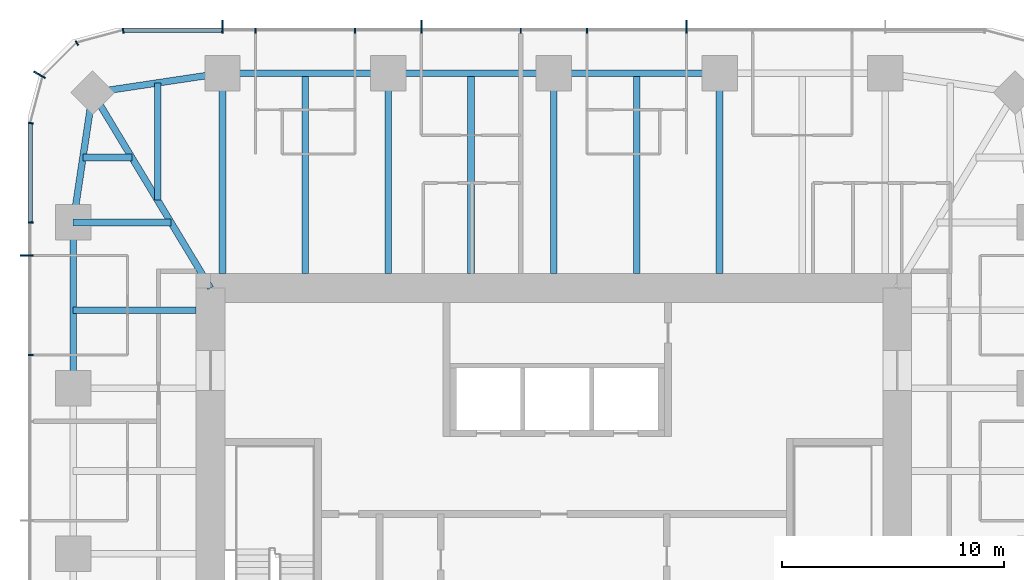
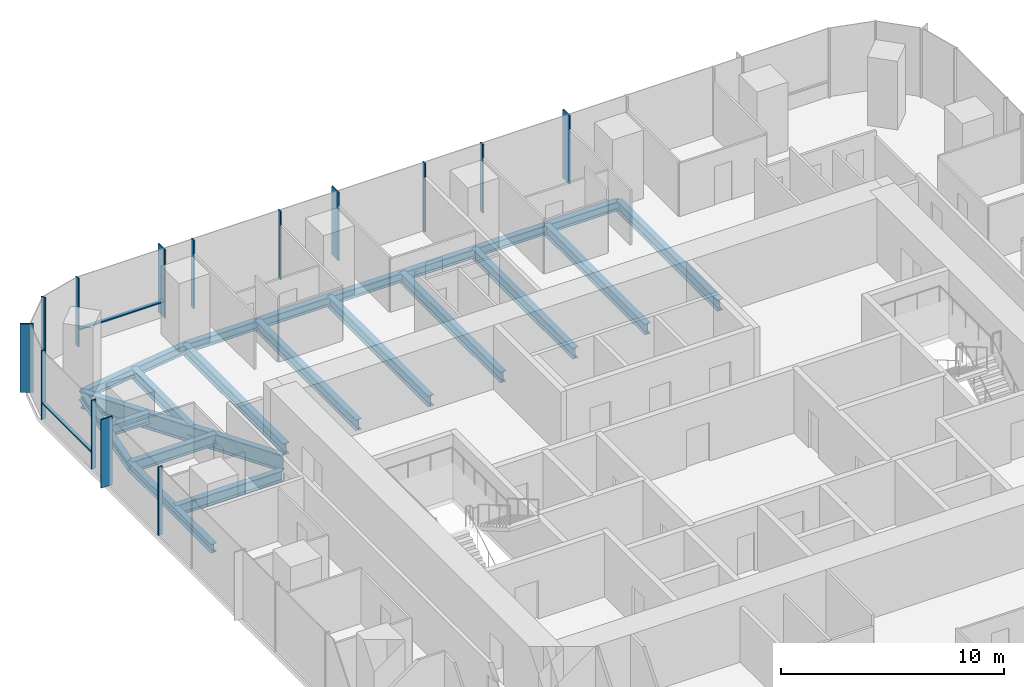
# One storey, part 5 of 12: 18 beams, 16 members, 3 elements without a shape of their own.
"""IFC4 building model written with IfcOpenShell, lengths in metres."""

from ifc_helpers import new_model, si_unit, direction, frame, origin, origin_2d, place, context, subcontext, project, spatial, rectangle, i_section, extrude, material, material_profile, profile_set, type_object, element, aggregate, save


model = new_model("IFC4")

# Units and contexts
model_context = context("Model", 3, precision=1e-05, world=origin(), true_north=direction((0.0, 1.0)))
body_context = subcontext(model_context, "Body", "Model", "MODEL_VIEW")
ifc_project = project(units=[si_unit("LENGTHUNIT", "METRE"), si_unit("AREAUNIT", "SQUARE_METRE"), si_unit("VOLUMEUNIT", "CUBIC_METRE"), si_unit("PLANEANGLEUNIT", "RADIAN"), si_unit("MASSUNIT", "GRAM", prefix="KILO")], contexts=[model_context])

# Site, building, storey
site_placement = place(None, origin())
site = spatial("IfcSite", under=ifc_project, at=site_placement, CompositionType="ELEMENT")
building_placement = place(site_placement, origin())
building = spatial("IfcBuilding", under=site, at=building_placement, Name="Khuree Lantern Residences", CompositionType="ELEMENT")
storey_placement = place(building_placement, frame((0.0, 0.0, 300.75)))
storey = spatial("IfcBuildingStorey", under=building, at=storey_placement, Name="L75", CompositionType="ELEMENT", Elevation=300.75)

# Beams
ifc_material_1 = material(Name="Steel S355", Category="steel")
ifc_material_profile_1 = material_profile(ifc_material_1, i_section(OverallWidth=0.300048828125, OverallDepth=0.590087890625, WebThickness=0.012939453125, FlangeThickness=0.02490234375, FilletRadius=0.027099609375, at=origin_2d()), Name="HE 600 A")
ifc_profile_set_1 = profile_set([ifc_material_profile_1], Name="Steel S355")
beam_type_1 = type_object("IfcBeamType", Name="B-42 SECONDARY BEAM HE 600 A", PredefinedType="BEAM", material=ifc_profile_set_1)
for number, where, z_axis, x_axis, name in (
    (1, (-11.219970703125, 21.699951171875, -0.544921875), (0.0, -1.0, 0.0), (1.0, 0.0, 0.0), "Secondary beam N1"),
    (2, (-3.739990234375, 21.699951171875, -0.544921875), (0.0, -1.0, 0.0), (1.0, 0.0, 0.0), "Secondary beam N2"),
    (3, (3.739990234375, 21.699951171875, -0.544921875), (0.0, -1.0, 0.0), (1.0, 0.0, 0.0), "Secondary beam N3"),
):
    element("IfcBeam", number, at=place(storey_placement, frame(where, z_axis=z_axis, x_axis=x_axis)), inside=storey, type_object=beam_type_1, Name=name, PredefinedType="BEAM", context=body_context, shape_type="SweptSolid", body=[
        extrude(i_section(OverallWidth=0.300048828125, OverallDepth=0.590087890625, WebThickness=0.012939453125, FlangeThickness=0.02490234375, FilletRadius=0.027099609375, at=origin_2d()), origin(), (0.0, 0.0, 1.0), 9.050048828125),
    ])
beam_1_placement = place(storey_placement, frame((-21.699951171875, 11.0, -0.544921875), z_axis=(1.0, 0.0, 0.0), x_axis=(0.0, 1.0, 0.0)))
element("IfcBeam", 4, at=beam_1_placement, inside=storey, type_object=beam_type_1, Name="Secondary beam W5", PredefinedType="BEAM", context=body_context, shape_type="SweptSolid", body=[
    extrude(i_section(OverallWidth=0.300048828125, OverallDepth=0.590087890625, WebThickness=0.012939453125, FlangeThickness=0.02490234375, FilletRadius=0.027099609375, at=origin_2d()), origin(), (0.0, 0.0, 1.0), 5.550048828125),
])
beam_2_placement = place(storey_placement, frame((-21.2607421875, 17.890625, -0.544921875), z_axis=(1.0, 0.0, 0.0), x_axis=(0.0, 1.0, 0.0)))
element("IfcBeam", 5, at=beam_2_placement, inside=storey, type_object=beam_type_1, Name="Secondary beam W6", PredefinedType="BEAM", context=body_context, shape_type="SweptSolid", body=[
    extrude(i_section(OverallWidth=0.300048828125, OverallDepth=0.590087890625, WebThickness=0.012939453125, FlangeThickness=0.02490234375, FilletRadius=0.027099609375, at=origin_2d()), origin(), (0.0, 0.0, 1.0), 2.207275390625),
])
beam_3_placement = place(storey_placement, frame((-17.890625, 21.2607421875, -0.544921875), z_axis=(0.0, -1.0, 0.0), x_axis=(1.0, 0.0, 0.0)))
element("IfcBeam", 6, at=beam_3_placement, inside=storey, type_object=beam_type_1, Name="Secondary beam N6", PredefinedType="BEAM", context=body_context, shape_type="SweptSolid", body=[
    extrude(i_section(OverallWidth=0.300048828125, OverallDepth=0.590087890625, WebThickness=0.012939453125, FlangeThickness=0.02490234375, FilletRadius=0.027099609375, at=origin_2d()), origin(), (0.0, 0.0, 1.0), 5.297607421875),
])
ifc_material_profile_2 = material_profile(ifc_material_1, i_section(OverallWidth=0.300048828125, OverallDepth=0.489990234375, WebThickness=0.011962890625, FlangeThickness=0.02294921875, FilletRadius=0.027099609375, at=origin_2d()), Name="HE 500 A")
ifc_profile_set_2 = profile_set([ifc_material_profile_2], Name="Steel S355")
beam_type_2 = type_object("IfcBeamType", Name="E-42 SPANDREL BEAM HE 500 A", PredefinedType="SPANDREL", material=ifc_profile_set_2)
for number, where, z_axis, x_axis, name in (
    (7, (-14.9599609375, 21.699951171875, -0.4951171875), (1.0, 0.0, 0.0), (0.0, 1.0, 0.0), "Spandrel beam N1"),
    (8, (-7.47998046875, 21.699951171875, -0.4951171875), (1.0, 0.0, 0.0), (0.0, 1.0, 0.0), "Spandrel beam N2"),
    (9, (0.0, 21.699951171875, -0.4951171875), (1.0, 0.0, 0.0), (0.0, 1.0, 0.0), "Spandrel beam N3"),
    (10, (-21.699951171875, 7.47998046875, -0.4951171875), (0.0, 1.0, 0.0), (-1.0, 0.0, 0.0), "Spandrel beam W5"),
):
    element("IfcBeam", number, at=place(storey_placement, frame(where, z_axis=z_axis, x_axis=x_axis)), inside=storey, type_object=beam_type_2, Name=name, PredefinedType="SPANDREL", context=body_context, shape_type="SweptSolid", body=[
        extrude(i_section(OverallWidth=0.300048828125, OverallDepth=0.489990234375, WebThickness=0.011962890625, FlangeThickness=0.02294921875, FilletRadius=0.027099609375, at=origin_2d()), origin(), (0.0, 0.0, 1.0), 7.47998046875),
    ])
for number, where, z_axis, x_axis, name in (
    (11, (-21.699951171875, 14.9599609375, -0.4951171875), (0.148251822985, 0.988949643299, 0.0), (-0.988949643299, 0.148251822985, 0.0), "Spandrel beam W6"),
    (12, (-20.8212890625, 20.8212890625, -0.4951171875), (0.988949643299, 0.148251822985, 0.0), (-0.148251822985, 0.988949643299, 0.0), "Spandrel beam N6"),
):
    element("IfcBeam", number, at=place(storey_placement, frame(where, z_axis=z_axis, x_axis=x_axis)), inside=storey, type_object=beam_type_2, Name=name, PredefinedType="SPANDREL", context=body_context, shape_type="SweptSolid", body=[
        extrude(i_section(OverallWidth=0.300048828125, OverallDepth=0.489990234375, WebThickness=0.011962890625, FlangeThickness=0.02294921875, FilletRadius=0.027099609375, at=origin_2d()), origin(), (0.0, 0.0, 1.0), 5.9267578125),
    ])

# Curtain wall, members
ifc_material_2 = material(Name="Bronze anodised aluminium", Category="aluminium")
curtain_wall_type_1 = type_object("IfcCurtainWallType", Name="CW-T1 TOWER FACE CURTAIN WALL", PredefinedType="USERDEFINED", material=ifc_material_2)
curtain_wall_1_placement = place(storey_placement, origin())
curtain_wall_1 = element("IfcCurtainWall", 13, at=curtain_wall_1_placement, inside=storey, type_object=curtain_wall_type_1, Name="L75 NORTH FACE CURTAIN WALL", ObjectType="Stick-built curtain wall", PredefinedType="USERDEFINED")
ifc_material_profile_3 = material_profile(ifc_material_2, rectangle(XDim=0.06494140625, YDim=0.60009765625, at=origin_2d()), Name="F1 65X600")
ifc_profile_set_3 = profile_set([ifc_material_profile_3], Name="Bronze anodised aluminium")
member_type_1 = type_object("IfcMemberType", Name="F1 BRONZE FIN MULLION TOWER 65X600", PredefinedType="MULLION", material=ifc_profile_set_3)
member_1_placement = place(storey_placement, frame((5.98388671875, 23.800048828125, 0.0), z_axis=(0.0, 0.0, 1.0), x_axis=(-1.0, 0.0, 0.0)))
member_1 = element("IfcMember", 14, at=member_1_placement, type_object=member_type_1, Name="L75 NORTH FACE FIN MULLION 22", PredefinedType="MULLION", context=body_context, shape_type="SweptSolid", body=[
    extrude(rectangle(XDim=0.06494140625, YDim=0.60009765625, at=origin_2d()), origin(), (0.0, 0.0, 1.0), 3.75),
])
member_2_placement = place(storey_placement, frame((-5.98388671875, 23.800048828125, 0.0), z_axis=(0.0, 0.0, 1.0), x_axis=(-1.0, 0.0, 0.0)))
member_2 = element("IfcMember", 15, at=member_2_placement, type_object=member_type_1, Name="L75 NORTH FACE FIN MULLION 25", PredefinedType="MULLION", context=body_context, shape_type="SweptSolid", body=[
    extrude(rectangle(XDim=0.06494140625, YDim=0.60009765625, at=origin_2d()), origin(), (0.0, 0.0, 1.0), 3.75),
])
member_3_placement = place(storey_placement, frame((-14.9599609375, 23.800048828125, 0.0), z_axis=(0.0, 0.0, 1.0), x_axis=(-1.0, 0.0, 0.0)))
member_3 = element("IfcMember", 16, at=member_3_placement, type_object=member_type_1, Name="L75 NORTH FACE FIN MULLION 28", PredefinedType="MULLION", context=body_context, shape_type="SweptSolid", body=[
    extrude(rectangle(XDim=0.06494140625, YDim=0.60009765625, at=origin_2d()), origin(), (0.0, 0.0, 1.0), 3.75),
])

# Curtain wall, member
curtain_wall_type_2 = type_object("IfcCurtainWallType", Name="CW-T2 TOWER CORNER CURTAIN WALL", PredefinedType="USERDEFINED", material=ifc_material_2)
curtain_wall_2_placement = place(storey_placement, origin())
curtain_wall_2 = element("IfcCurtainWall", 17, at=curtain_wall_2_placement, inside=storey, type_object=curtain_wall_type_2, Name="L75 NORTH-WEST CORNER CURTAIN WALL", ObjectType="Faceted corner curtain wall", PredefinedType="USERDEFINED")
member_4_placement = place(storey_placement, frame((-23.21728515625, 21.625, 0.0), z_axis=(0.0, 0.0, 1.0), x_axis=(-0.49999994149, -0.866025437565, 0.0)))
member_4 = element("IfcMember", 18, at=member_4_placement, type_object=member_type_1, Name="L75 NORTH-WEST CORNER FIN MULLION 31", PredefinedType="MULLION", context=body_context, shape_type="SweptSolid", body=[
    extrude(rectangle(XDim=0.06494140625, YDim=0.60009765625, at=origin_2d()), origin(), (0.0, 0.0, 1.0), 3.75),
])

curtain_wall_3_placement = place(storey_placement, origin())
curtain_wall_3 = element("IfcCurtainWall", 19, at=curtain_wall_3_placement, inside=storey, type_object=curtain_wall_type_1, Name="L75 WEST FACE CURTAIN WALL", ObjectType="Stick-built curtain wall", PredefinedType="USERDEFINED")
member_5_placement = place(storey_placement, frame((-23.800048828125, 13.464111328125, 0.0), z_axis=(0.0, 0.0, 1.0), x_axis=(0.0, -1.0, 0.0)))
member_5 = element("IfcMember", 20, at=member_5_placement, type_object=member_type_1, Name="L75 WEST FACE FIN MULLION 34", PredefinedType="MULLION", context=body_context, shape_type="SweptSolid", body=[
    extrude(rectangle(XDim=0.06494140625, YDim=0.60009765625, at=origin_2d()), origin(), (0.0, 0.0, 1.0), 3.75),
])

# Beams
ifc_material_profile_4 = material_profile(ifc_material_1, i_section(OverallWidth=0.300048828125, OverallDepth=0.60009765625, WebThickness=0.015380859375, FlangeThickness=0.030029296875, FilletRadius=0.027099609375, at=origin_2d()), Name="HE 600 B")
ifc_profile_set_4 = profile_set([ifc_material_profile_4], Name="Steel S355")
beam_type_3 = type_object("IfcBeamType", Name="G-42 GIRDER HE 600 B", PredefinedType="BEAM", material=ifc_profile_set_4)
for number, where, z_axis, x_axis, name in (
    (21, (-14.9599609375, 21.699951171875, -0.550048828125), (0.0, -1.0, 0.0), (1.0, 0.0, 0.0), "Girder N1"),
    (22, (-7.47998046875, 21.699951171875, -0.550048828125), (0.0, -1.0, 0.0), (1.0, 0.0, 0.0), "Girder N2"),
    (23, (0.0, 21.699951171875, -0.550048828125), (0.0, -1.0, 0.0), (1.0, 0.0, 0.0), "Girder N3"),
    (24, (7.47998046875, 21.699951171875, -0.550048828125), (0.0, -1.0, 0.0), (1.0, 0.0, 0.0), "Girder N4"),
):
    element("IfcBeam", number, at=place(storey_placement, frame(where, z_axis=z_axis, x_axis=x_axis)), inside=storey, type_object=beam_type_3, Name=name, PredefinedType="BEAM", context=body_context, shape_type="SweptSolid", body=[
        extrude(i_section(OverallWidth=0.300048828125, OverallDepth=0.60009765625, WebThickness=0.015380859375, FlangeThickness=0.030029296875, FilletRadius=0.027099609375, at=origin_2d()), origin(), (0.0, 0.0, 1.0), 9.050048828125),
    ])
beam_4_placement = place(storey_placement, frame((-21.699951171875, 14.9599609375, -0.550048828125), z_axis=(1.0, 0.0, 0.0), x_axis=(0.0, 1.0, 0.0)))
element("IfcBeam", 25, at=beam_4_placement, inside=storey, type_object=beam_type_3, Name="Girder W5", PredefinedType="BEAM", context=body_context, shape_type="SweptSolid", body=[
    extrude(i_section(OverallWidth=0.300048828125, OverallDepth=0.60009765625, WebThickness=0.015380859375, FlangeThickness=0.030029296875, FilletRadius=0.027099609375, at=origin_2d()), origin(), (0.0, 0.0, 1.0), 4.414306640625),
])
ifc_material_profile_5 = material_profile(ifc_material_1, i_section(OverallWidth=0.300048828125, OverallDepth=0.89990234375, WebThickness=0.0185546875, FlangeThickness=0.034912109375, FilletRadius=0.030029296875, at=origin_2d()), Name="HE 900 B")
ifc_profile_set_5 = profile_set([ifc_material_profile_5], Name="Steel S355")
beam_type_4 = type_object("IfcBeamType", Name="GD-42 CORNER GIRDER HE 900 B", PredefinedType="BEAM", material=ifc_profile_set_5)
beam_5_placement = place(storey_placement, frame((-20.8212890625, 20.8212890625, -0.699951171875), z_axis=(0.516529577604, -0.856269347495, 0.0), x_axis=(0.856269347495, 0.516529577604, 0.0)))
element("IfcBeam", 26, at=beam_5_placement, inside=storey, type_object=beam_type_4, Name="Corner girder NW", PredefinedType="BEAM", context=body_context, shape_type="SweptSolid", body=[
    extrude(i_section(OverallWidth=0.300048828125, OverallDepth=0.89990234375, WebThickness=0.0185546875, FlangeThickness=0.034912109375, FilletRadius=0.030029296875, at=origin_2d()), origin(), (0.0, 0.0, 1.0), 10.302001953125),
])

# Member
ifc_material_profile_6 = material_profile(ifc_material_2, rectangle(XDim=0.06494140625, YDim=0.219970703125, at=origin_2d()), Name="M1 65X220")
ifc_profile_set_6 = profile_set([ifc_material_profile_6], Name="Bronze anodised aluminium")
member_type_2 = type_object("IfcMemberType", Name="M1 BRONZE MULLION TOWER 65X220", PredefinedType="MULLION", material=ifc_profile_set_6)
member_6_placement = place(storey_placement, frame((1.49609375, 23.610107421875, 0.0), z_axis=(0.0, 0.0, 1.0), x_axis=(-1.0, 0.0, 0.0)))
member_6 = element("IfcMember", 27, at=member_6_placement, type_object=member_type_2, Name="L75 NORTH FACE MULLION 23", PredefinedType="MULLION", context=body_context, shape_type="SweptSolid", body=[
    extrude(rectangle(XDim=0.06494140625, YDim=0.219970703125, at=origin_2d()), origin(), (0.0, 0.0, 1.0), 3.75),
])

member_7_placement = place(storey_placement, frame((-1.49609375, 23.610107421875, 0.0), z_axis=(0.0, 0.0, 1.0), x_axis=(-1.0, 0.0, 0.0)))
member_7 = element("IfcMember", 28, at=member_7_placement, type_object=member_type_2, Name="L75 NORTH FACE MULLION 24", PredefinedType="MULLION", context=body_context, shape_type="SweptSolid", body=[
    extrude(rectangle(XDim=0.06494140625, YDim=0.219970703125, at=origin_2d()), origin(), (0.0, 0.0, 1.0), 3.75),
])

member_8_placement = place(storey_placement, frame((-8.97607421875, 23.610107421875, 0.0), z_axis=(0.0, 0.0, 1.0), x_axis=(-1.0, 0.0, 0.0)))
member_8 = element("IfcMember", 29, at=member_8_placement, type_object=member_type_2, Name="L75 NORTH FACE MULLION 26", PredefinedType="MULLION", context=body_context, shape_type="SweptSolid", body=[
    extrude(rectangle(XDim=0.06494140625, YDim=0.219970703125, at=origin_2d()), origin(), (0.0, 0.0, 1.0), 3.75),
])

member_9_placement = place(storey_placement, frame((-13.464111328125, 23.610107421875, 0.0), z_axis=(0.0, 0.0, 1.0), x_axis=(-1.0, 0.0, 0.0)))
member_9 = element("IfcMember", 30, at=member_9_placement, type_object=member_type_2, Name="L75 NORTH FACE MULLION 27", PredefinedType="MULLION", context=body_context, shape_type="SweptSolid", body=[
    extrude(rectangle(XDim=0.06494140625, YDim=0.219970703125, at=origin_2d()), origin(), (0.0, 0.0, 1.0), 3.75),
])

member_10_placement = place(storey_placement, frame((-19.445068359375, 23.61181640625, 0.0), z_axis=(0.0, 0.0, 1.0), x_axis=(-0.991444870192, -0.130526125236, 0.0)))
member_10 = element("IfcMember", 31, at=member_10_placement, type_object=member_type_2, Name="L75 NORTH-WEST CORNER MULLION 29", PredefinedType="MULLION", context=body_context, shape_type="SweptSolid", body=[
    extrude(rectangle(XDim=0.06494140625, YDim=0.219970703125, at=origin_2d()), origin(), (0.0, 0.0, 1.0), 3.75),
])

member_11_placement = place(storey_placement, frame((-21.530029296875, 23.052734375, 0.0), z_axis=(0.0, 0.0, 1.0), x_axis=(-0.866025437565, -0.49999994149, 0.0)))
member_11 = element("IfcMember", 32, at=member_11_placement, type_object=member_type_2, Name="L75 NORTH-WEST CORNER MULLION 30", PredefinedType="MULLION", context=body_context, shape_type="SweptSolid", body=[
    extrude(rectangle(XDim=0.06494140625, YDim=0.219970703125, at=origin_2d()), origin(), (0.0, 0.0, 1.0), 3.75),
])

aggregate(curtain_wall_2, [member_10, member_11, member_4])

member_12_placement = place(storey_placement, frame((-23.61181640625, 19.445068359375, 0.0), z_axis=(0.0, 0.0, 1.0), x_axis=(-0.130526125236, -0.991444870192, 0.0)))
member_12 = element("IfcMember", 33, at=member_12_placement, type_object=member_type_2, Name="L75 WEST FACE MULLION 32", PredefinedType="MULLION", context=body_context, shape_type="SweptSolid", body=[
    extrude(rectangle(XDim=0.06494140625, YDim=0.219970703125, at=origin_2d()), origin(), (0.0, 0.0, 1.0), 3.75),
])

member_13_placement = place(storey_placement, frame((-23.610107421875, 14.9599609375, 0.0), z_axis=(0.0, 0.0, 1.0), x_axis=(0.0, -1.0, 0.0)))
member_13 = element("IfcMember", 34, at=member_13_placement, type_object=member_type_2, Name="L75 WEST FACE MULLION 33", PredefinedType="MULLION", context=body_context, shape_type="SweptSolid", body=[
    extrude(rectangle(XDim=0.06494140625, YDim=0.219970703125, at=origin_2d()), origin(), (0.0, 0.0, 1.0), 3.75),
])

member_14_placement = place(storey_placement, frame((-23.610107421875, 8.97607421875, 0.0), z_axis=(0.0, 0.0, 1.0), x_axis=(0.0, -1.0, 0.0)))
member_14 = element("IfcMember", 35, at=member_14_placement, type_object=member_type_2, Name="L75 WEST FACE MULLION 35", PredefinedType="MULLION", context=body_context, shape_type="SweptSolid", body=[
    extrude(rectangle(XDim=0.06494140625, YDim=0.219970703125, at=origin_2d()), origin(), (0.0, 0.0, 1.0), 3.75),
])

ifc_material_profile_7 = material_profile(ifc_material_2, rectangle(XDim=0.179931640625, YDim=0.06494140625, at=origin_2d()), Name="T1 180X65")
ifc_profile_set_7 = profile_set([ifc_material_profile_7], Name="Bronze anodised aluminium")
member_type_3 = type_object("IfcMemberType", Name="TRANSOM T1 TOWER 180X65", PredefinedType="USERDEFINED", material=ifc_profile_set_7)
member_15_placement = place(storey_placement, frame((-14.992431640625, 23.6201171875, 0.89990234375), z_axis=(-1.0, 0.0, 0.0), x_axis=(0.0, -1.0, 0.0)))
member_15 = element("IfcMember", 36, at=member_15_placement, type_object=member_type_3, Name="L75 NORTH FACE TRANSOM 28.1", ObjectType="Transom", PredefinedType="USERDEFINED", context=body_context, shape_type="SweptSolid", body=[
    extrude(rectangle(XDim=0.179931640625, YDim=0.06494140625, at=origin_2d()), origin(), (0.0, 0.0, 1.0), 4.408935546875),
])

aggregate(curtain_wall_1, [member_1, member_6, member_7, member_2, member_8, member_9, member_3, member_15])

member_16_placement = place(storey_placement, frame((-23.6201171875, 19.4013671875, 0.89990234375), z_axis=(0.0, -1.0, 0.0), x_axis=(1.0, 0.0, 0.0)))
member_16 = element("IfcMember", 37, at=member_16_placement, type_object=member_type_3, Name="L75 WEST FACE TRANSOM 32.1", ObjectType="Transom", PredefinedType="USERDEFINED", context=body_context, shape_type="SweptSolid", body=[
    extrude(rectangle(XDim=0.179931640625, YDim=0.06494140625, at=origin_2d()), origin(), (0.0, 0.0, 1.0), 4.408935546875),
])

aggregate(curtain_wall_3, [member_12, member_13, member_5, member_14, member_16])

save(model, "model.ifc")
